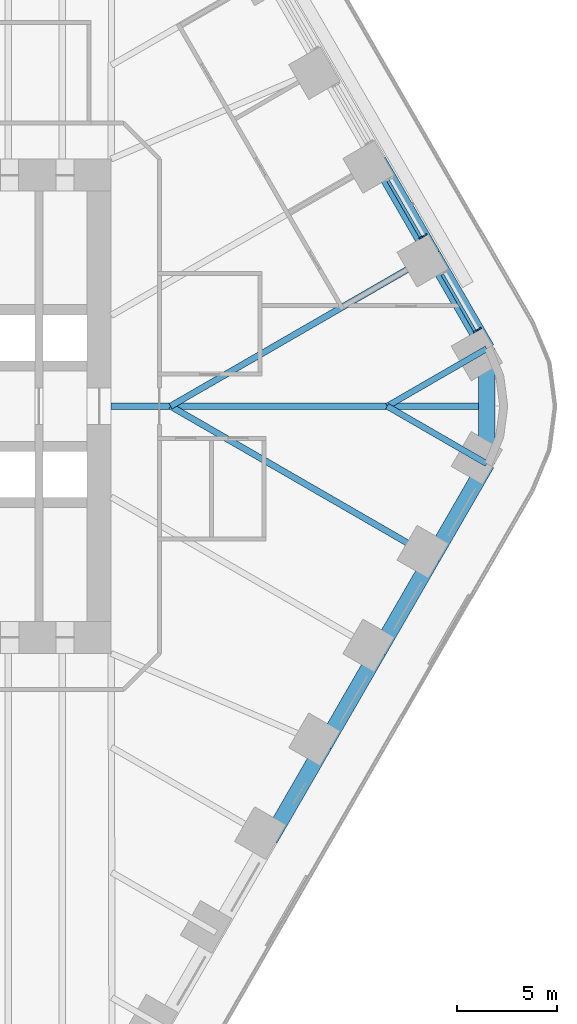
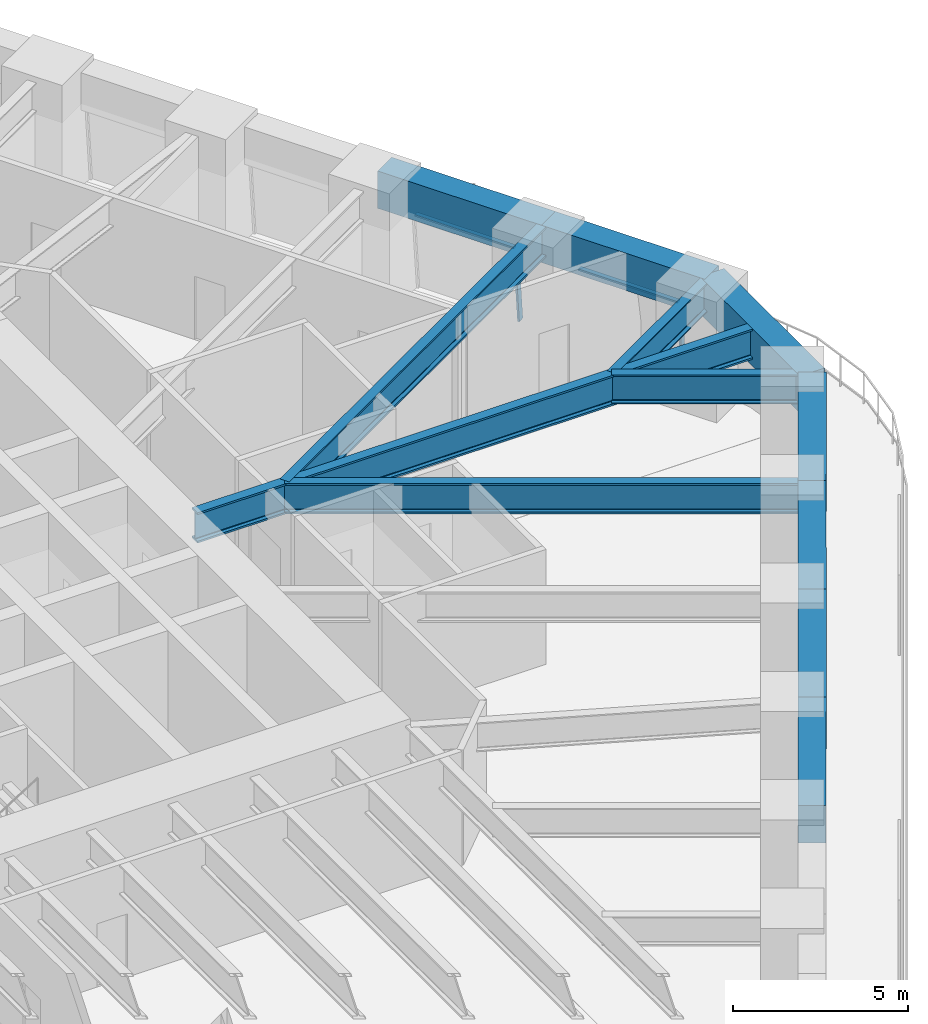
# One storey, part 12 of 23: 12 beams, 4 members, 2 elements without a shape of their own.
"""IFC4 building model written with IfcOpenShell, lengths in metres."""

from ifc_helpers import new_model, si_unit, direction, frame, origin, origin_2d, place, context, subcontext, project, spatial, rectangle, i_section, extrude, material, material_profile, profile_set, type_object, element, aggregate, save


model = new_model("IFC4")

# Units and contexts
model_context = context("Model", 3, precision=1e-05, world=origin(), true_north=direction((0.0, 1.0)))
body_context = subcontext(model_context, "Body", "Model", "MODEL_VIEW")
ifc_project = project(units=[si_unit("LENGTHUNIT", "METRE"), si_unit("AREAUNIT", "SQUARE_METRE"), si_unit("VOLUMEUNIT", "CUBIC_METRE"), si_unit("PLANEANGLEUNIT", "RADIAN"), si_unit("MASSUNIT", "GRAM", prefix="KILO")], contexts=[model_context])

# Site, building, storey
site_placement = place(None, origin())
site = spatial("IfcSite", under=ifc_project, at=site_placement, CompositionType="ELEMENT")
building_placement = place(site_placement, origin())
building = spatial("IfcBuilding", under=site, at=building_placement, Name="Tarfa Lantern Tower", CompositionType="ELEMENT")
storey_placement = place(building_placement, frame((0.0, 0.0, 44.5)))
storey = spatial("IfcBuildingStorey", under=building, at=storey_placement, Name="L09", CompositionType="ELEMENT", Elevation=44.5)

# Curtain wall, member
ifc_material_1 = material(Name="Aluminium framed curtain wall", Category="aluminium")
curtain_wall_type = type_object("IfcCurtainWallType", Name="CW1 CANTED GLAZING LOW ZONE 2700", PredefinedType="USERDEFINED", material=ifc_material_1)
curtain_wall_1_placement = place(storey_placement, origin())
curtain_wall_1 = element("IfcCurtainWall", 1, at=curtain_wall_1_placement, inside=storey, type_object=curtain_wall_type, Name="CW1 NE L09", ObjectType="CURTAIN WALL", PredefinedType="USERDEFINED")
ifc_material_2 = material(Name="Aluminium mullion", Category="aluminium")
ifc_material_profile_1 = material_profile(ifc_material_2, rectangle(XDim=0.06494140625, YDim=0.199951171875, at=origin_2d()), Name="AL MULLION 65x200")
ifc_profile_set_1 = profile_set([ifc_material_profile_1], Name="Aluminium mullion")
member_type_1 = type_object("IfcMemberType", Name="CWM1 MULLION 65x200", PredefinedType="MULLION", material=ifc_profile_set_1)
member_1_placement = place(storey_placement, frame((36.9248046875, 3.84423828125, 0.0), z_axis=(-0.079774955866, -0.04610020023, 0.995746317068), x_axis=(0.500342721131, -0.865827443207, 0.0)))
member_1 = element("IfcMember", 2, at=member_1_placement, type_object=member_type_1, Name="CW1 mullion 1", PredefinedType="MULLION", context=body_context, shape_type="SweptSolid", body=[
    extrude(rectangle(XDim=0.06494140625, YDim=0.199951171875, at=origin_2d()), origin(), (0.0, 0.0, 1.0), 2.71142578125),
])

curtain_wall_2_placement = place(storey_placement, origin())
curtain_wall_2 = element("IfcCurtainWall", 3, at=curtain_wall_2_placement, inside=storey, type_object=curtain_wall_type, Name="CW1 NE L09", ObjectType="CURTAIN WALL", PredefinedType="USERDEFINED")
member_2_placement = place(storey_placement, frame((34.230712890625, 8.5107421875, 0.0), z_axis=(-0.07986442134, -0.046099868913, 0.99573916077), x_axis=(0.499919672301, -0.866071776036, 0.0)))
member_2 = element("IfcMember", 4, at=member_2_placement, type_object=member_type_1, Name="CW1 mullion 1", PredefinedType="MULLION", context=body_context, shape_type="SweptSolid", body=[
    extrude(rectangle(XDim=0.06494140625, YDim=0.199951171875, at=origin_2d()), origin(), (0.0, 0.0, 1.0), 2.71142578125),
])

# Member
ifc_material_3 = material(Name="Aluminium transom", Category="aluminium")
ifc_material_profile_2 = material_profile(ifc_material_3, rectangle(XDim=0.14990234375, YDim=0.06494140625, at=origin_2d()), Name="AL TRANSOM 150x65")
ifc_profile_set_2 = profile_set([ifc_material_profile_2], Name="Aluminium transom")
member_type_2 = type_object("IfcMemberType", Name="CWT1 TRANSOM 150x65", PredefinedType="USERDEFINED", material=ifc_profile_set_2)
member_3_placement = place(storey_placement, frame((36.69482421875, 3.748779296875, 2.66748046875), z_axis=(-0.500022939057, 0.866012159509, 0.0), x_axis=(-0.866012159509, -0.500022939057, 0.0)))
member_3 = element("IfcMember", 5, at=member_3_placement, type_object=member_type_2, Name="CW1 transom 1.2", ObjectType="TRANSOM", PredefinedType="USERDEFINED", context=body_context, shape_type="SweptSolid", body=[
    extrude(rectangle(XDim=0.14990234375, YDim=0.06494140625, at=origin_2d()), origin(), (0.0, 0.0, 1.0), 3.258544921875),
])

aggregate(curtain_wall_1, [member_1, member_3])

member_4_placement = place(storey_placement, frame((34.00048828125, 8.41552734375, 2.66748046875), z_axis=(-0.500022939057, 0.866012159509, 0.0), x_axis=(-0.866012159509, -0.500022939057, 0.0)))
member_4 = element("IfcMember", 6, at=member_4_placement, type_object=member_type_2, Name="CW1 transom 1.2", ObjectType="TRANSOM", PredefinedType="USERDEFINED", context=body_context, shape_type="SweptSolid", body=[
    extrude(rectangle(XDim=0.14990234375, YDim=0.06494140625, at=origin_2d()), origin(), (0.0, 0.0, 1.0), 3.258544921875),
])

aggregate(curtain_wall_2, [member_2, member_4])

# Beams
ifc_material_4 = material(Name="Concrete C80/95", Category="concrete")
ifc_material_profile_3 = material_profile(ifc_material_4, rectangle(XDim=0.800048828125, YDim=1.300048828125, at=origin_2d()), Name="RC 800x1300")
ifc_profile_set_3 = profile_set([ifc_material_profile_3], Name="Concrete C80/95")
beam_type_1 = type_object("IfcBeamType", Name="EB1 RC 800x1300", PredefinedType="SPANDREL", material=ifc_profile_set_3)
beam_1_placement = place(storey_placement, frame((37.285400390625, 2.860107421875, 3.35009765625), z_axis=(-0.500017906299, 0.866015065331, 0.0), x_axis=(-0.866015065331, -0.500017906299, 0.0)))
element("IfcBeam", 7, at=beam_1_placement, inside=storey, type_object=beam_type_1, Name="Edge beam NE0", PredefinedType="SPANDREL", context=body_context, shape_type="SweptSolid", body=[
    extrude(rectangle(XDim=0.800048828125, YDim=1.300048828125, at=origin_2d()), origin(), (0.0, 0.0, 1.0), 5.388427734375),
])
beam_2_placement = place(storey_placement, frame((34.591064453125, 7.526611328125, 3.35009765625), z_axis=(-0.499998287579, 0.866026392449, 0.0), x_axis=(-0.866026392449, -0.499998287579, 0.0)))
element("IfcBeam", 8, at=beam_2_placement, inside=storey, type_object=beam_type_1, Name="Edge beam NE1", PredefinedType="SPANDREL", context=body_context, shape_type="SweptSolid", body=[
    extrude(rectangle(XDim=0.800048828125, YDim=1.300048828125, at=origin_2d()), origin(), (0.0, 0.0, 1.0), 5.388671875),
])
beam_3_placement = place(storey_placement, frame((26.508056640625, -21.526611328125, 3.35009765625), z_axis=(0.500017906299, 0.866015065331, 0.0), x_axis=(-0.866015065331, 0.500017906299, 0.0)))
element("IfcBeam", 9, at=beam_3_placement, inside=storey, type_object=beam_type_1, Name="Edge beam SE2", PredefinedType="SPANDREL", context=body_context, shape_type="SweptSolid", body=[
    extrude(rectangle(XDim=0.800048828125, YDim=1.300048828125, at=origin_2d()), origin(), (0.0, 0.0, 1.0), 5.388427734375),
])
for number, where, z_axis, x_axis, name in (
    (10, (29.202392578125, -16.860107421875, 3.35009765625), (0.499998287579, 0.866026392449, 0.0), (-0.866026392449, 0.499998287579, 0.0), "Edge beam SE3"),
    (11, (31.896728515625, -12.193359375, 3.35009765625), (0.499998287579, 0.866026392449, 0.0), (-0.866026392449, 0.499998287579, 0.0), "Edge beam SE4"),
):
    element("IfcBeam", number, at=place(storey_placement, frame(where, z_axis=z_axis, x_axis=x_axis)), inside=storey, type_object=beam_type_1, Name=name, PredefinedType="SPANDREL", context=body_context, shape_type="SweptSolid", body=[
        extrude(rectangle(XDim=0.800048828125, YDim=1.300048828125, at=origin_2d()), origin(), (0.0, 0.0, 1.0), 5.388671875),
    ])
beam_4_placement = place(storey_placement, frame((34.591064453125, -7.526611328125, 3.35009765625), z_axis=(0.500017906299, 0.866015065331, 0.0), x_axis=(-0.866015065331, 0.500017906299, 0.0)))
element("IfcBeam", 12, at=beam_4_placement, inside=storey, type_object=beam_type_1, Name="Edge beam SE5", PredefinedType="SPANDREL", context=body_context, shape_type="SweptSolid", body=[
    extrude(rectangle(XDim=0.800048828125, YDim=1.300048828125, at=origin_2d()), origin(), (0.0, 0.0, 1.0), 5.388427734375),
])
beam_5_placement = place(storey_placement, frame((37.285400390625, -2.860107421875, 3.35009765625), z_axis=(0.0, 1.0, 0.0), x_axis=(-1.0, 0.0, 0.0)))
element("IfcBeam", 13, at=beam_5_placement, inside=storey, type_object=beam_type_1, Name="Edge beam SE6", PredefinedType="SPANDREL", context=body_context, shape_type="SweptSolid", body=[
    extrude(rectangle(XDim=0.800048828125, YDim=1.300048828125, at=origin_2d()), origin(), (0.0, 0.0, 1.0), 5.72021484375),
])
ifc_material_5 = material(Name="Steel S460M", Category="steel")
ifc_material_profile_4 = material_profile(ifc_material_5, i_section(OverallWidth=0.302001953125, OverallDepth=1.008056640625, WebThickness=0.02099609375, FlangeThickness=0.0400390625, FilletRadius=0.030029296875, at=origin_2d()), Name="UB1016x305x349")
ifc_profile_set_4 = profile_set([ifc_material_profile_4], Name="Steel S460M")
beam_type_2 = type_object("IfcBeamType", Name="UB1016x305x349", PredefinedType="BEAM", material=ifc_profile_set_4)
for number, where, z_axis, x_axis, name in (
    (14, (37.285400390625, 2.860107421875, 3.495849609375), (-0.866025668288, -0.499999541866, 0.0), (0.499999541866, -0.866025668288, 0.0), "Floor beam NE0"),
    (15, (37.285400390625, -2.860107421875, 3.495849609375), (-0.866025668288, 0.499999541866, 0.0), (-0.499999541866, -0.866025668288, 0.0), "Floor beam SE6"),
):
    element("IfcBeam", number, at=place(storey_placement, frame(where, z_axis=z_axis, x_axis=x_axis)), inside=storey, type_object=beam_type_2, Name=name, PredefinedType="BEAM", context=body_context, shape_type="SweptSolid", body=[
        extrude(i_section(OverallWidth=0.302001953125, OverallDepth=1.008056640625, WebThickness=0.02099609375, FlangeThickness=0.0400390625, FilletRadius=0.030029296875, at=origin_2d()), origin(), (0.0, 0.0, 1.0), 5.72021484375),
    ])
ifc_material_profile_5 = material_profile(ifc_material_5, i_section(OverallWidth=0.314208984375, OverallDepth=1.055908203125, WebThickness=0.035888671875, FlangeThickness=0.06396484375, FilletRadius=0.030029296875, at=origin_2d()), Name="UB1016x305x584")
ifc_profile_set_5 = profile_set([ifc_material_profile_5], Name="Steel S460M")
beam_type_3 = type_object("IfcBeamType", Name="UB1016x305x584", PredefinedType="BEAM", material=ifc_profile_set_5)
beam_6_placement = place(storey_placement, frame((18.60009765625, 0.0, 3.471923828125), z_axis=(1.0, 0.0, 0.0), x_axis=(0.0, 1.0, 0.0)))
element("IfcBeam", 16, at=beam_6_placement, inside=storey, type_object=beam_type_3, Name="Hip girder E", PredefinedType="BEAM", context=body_context, shape_type="SweptSolid", body=[
    extrude(i_section(OverallWidth=0.314208984375, OverallDepth=1.055908203125, WebThickness=0.035888671875, FlangeThickness=0.06396484375, FilletRadius=0.030029296875, at=origin_2d()), origin(), (0.0, 0.0, 1.0), 18.685302734375),
])
for number, where, z_axis, x_axis, name in (
    (17, (34.591064453125, 7.526611328125, 3.471923828125), (-0.86602785945, -0.499995746638, 0.0), (0.499995746638, -0.86602785945, 0.0), "Floor beam NE1"),
    (18, (34.591064453125, -7.526611328125, 3.471923828125), (-0.86602785945, 0.499995746638, 0.0), (-0.499995746638, -0.86602785945, 0.0), "Floor beam SE5"),
):
    element("IfcBeam", number, at=place(storey_placement, frame(where, z_axis=z_axis, x_axis=x_axis)), inside=storey, type_object=beam_type_3, Name=name, PredefinedType="BEAM", context=body_context, shape_type="SweptSolid", body=[
        extrude(i_section(OverallWidth=0.314208984375, OverallDepth=1.055908203125, WebThickness=0.035888671875, FlangeThickness=0.06396484375, FilletRadius=0.030029296875, at=origin_2d()), origin(), (0.0, 0.0, 1.0), 15.053466796875),
    ])

save(model, "model.ifc")
